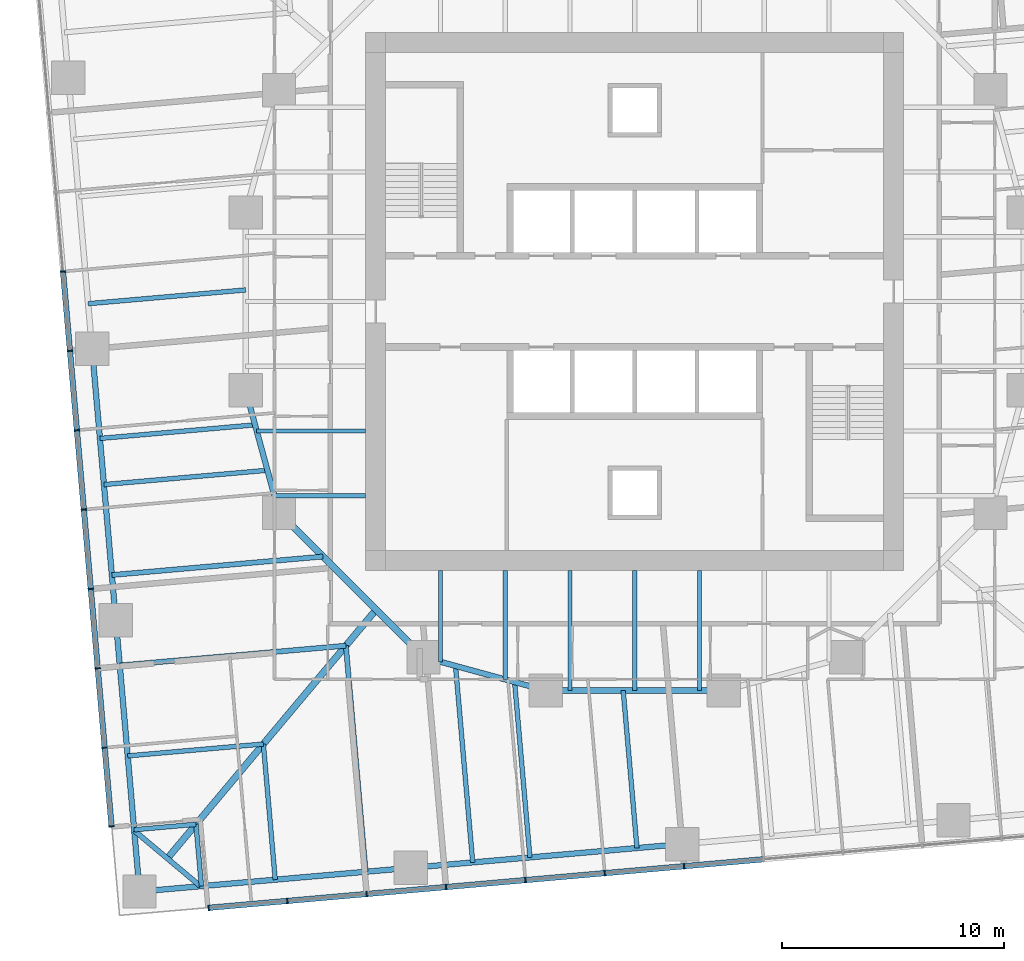
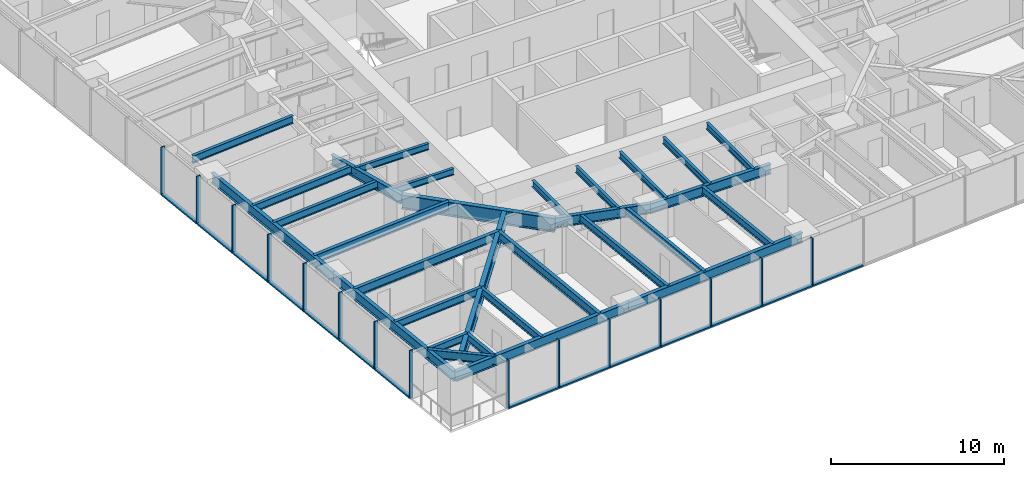
# One storey, part 2 of 14: 30 beams, 29 members, 2 elements without a shape of their own.
"""IFC4 building model written with IfcOpenShell, lengths in metres."""

from ifc_helpers import new_model, si_unit, direction, frame, origin, origin_2d, place, context, subcontext, project, spatial, rectangle, i_section, extrude, material, material_profile, profile_set, type_object, element, aggregate, save


model = new_model("IFC4")

# Units and contexts
model_context = context("Model", 3, precision=1e-05, world=origin(), true_north=direction((0.0, 1.0)))
body_context = subcontext(model_context, "Body", "Model", "MODEL_VIEW")
ifc_project = project(units=[si_unit("LENGTHUNIT", "METRE"), si_unit("AREAUNIT", "SQUARE_METRE"), si_unit("VOLUMEUNIT", "CUBIC_METRE"), si_unit("PLANEANGLEUNIT", "RADIAN"), si_unit("MASSUNIT", "GRAM", prefix="KILO")], contexts=[model_context])

# Site, building, storey
site_placement = place(None, origin())
site = spatial("IfcSite", under=ifc_project, at=site_placement, CompositionType="ELEMENT")
building_placement = place(site_placement, origin())
building = spatial("IfcBuilding", under=site, at=building_placement, Name="Torsade Residences", CompositionType="ELEMENT")
storey_placement = place(building_placement, frame((0.0, 0.0, 57.39990234375)))
storey = spatial("IfcBuildingStorey", under=building, at=storey_placement, Name="L15", CompositionType="ELEMENT", Elevation=57.39990234375)

# Beams
ifc_material_1 = material(Name="Steel grade 300", Category="steel")
ifc_material_profile_1 = material_profile(ifc_material_1, i_section(OverallWidth=0.300048828125, OverallDepth=0.89990234375, WebThickness=0.011962890625, FlangeThickness=0.02490234375, at=origin_2d()), Name="900WB175")
ifc_profile_set_1 = profile_set([ifc_material_profile_1], Name="Steel grade 300")
beam_type_1 = type_object("IfcBeamType", Name="CORNER GIRDER 900WB175", PredefinedType="BEAM", material=ifc_profile_set_1)
beam_1_placement = place(storey_placement, frame((18.978515625, 4.947509765625, 2.800048828125), z_axis=(0.642785419012, 0.766046281307, 0.0), x_axis=(-0.766046281307, 0.642785419012, 0.0)))
element("IfcBeam", 1, at=beam_1_placement, inside=storey, type_object=beam_type_1, Name="Corner girder 01 L16", PredefinedType="BEAM", context=body_context, shape_type="SweptSolid", body=[
    extrude(i_section(OverallWidth=0.300048828125, OverallDepth=0.89990234375, WebThickness=0.011962890625, FlangeThickness=0.02490234375, at=origin_2d()), origin(), (0.0, 0.0, 1.0), 14.603515625),
])
ifc_material_2 = material(Name="Steel grade 300", Category="steel")
ifc_material_profile_2 = material_profile(ifc_material_2, i_section(OverallWidth=0.22802734375, OverallDepth=0.60205078125, WebThickness=0.010498046875, FlangeThickness=0.014892578125, FilletRadius=0.013916015625, at=origin_2d()), Name="610UB101")
ifc_profile_set_2 = profile_set([ifc_material_profile_2], Name="Steel grade 300")
beam_type_2 = type_object("IfcBeamType", Name="CORNER TRIMMER 610UB101", PredefinedType="BEAM", material=ifc_profile_set_2)
beam_2_placement = place(storey_placement, frame((20.468017578125, 3.697509765625, 2.94921875), z_axis=(-0.766030001697, 0.642804819911, 0.0), x_axis=(-0.642804819911, -0.766030001697, 0.0)))
element("IfcBeam", 2, at=beam_2_placement, inside=storey, type_object=beam_type_2, Name="Corner trimmer 01 L16", PredefinedType="BEAM", context=body_context, shape_type="SweptSolid", body=[
    extrude(i_section(OverallWidth=0.22802734375, OverallDepth=0.60205078125, WebThickness=0.010498046875, FlangeThickness=0.014892578125, FilletRadius=0.013916015625, at=origin_2d()), origin(), (0.0, 0.0, 1.0), 3.88916015625),
])

# Curtain wall, members
ifc_material_3 = material(Name="Aluminium and glass", Category="aluminium")
curtain_wall_type = type_object("IfcCurtainWallType", Name="FRITTED GLASS CURTAIN WALL LOW ZONE", PredefinedType="NOTDEFINED", material=ifc_material_3)
curtain_wall_1_placement = place(storey_placement, origin())
curtain_wall_1 = element("IfcCurtainWall", 3, at=curtain_wall_1_placement, inside=storey, type_object=curtain_wall_type, Name="Curtain wall L15 face 1", PredefinedType="NOTDEFINED")
ifc_material_4 = material(Name="Aluminium mullion", Category="aluminium")
ifc_material_profile_3 = material_profile(ifc_material_4, rectangle(XDim=0.25, YDim=0.06494140625, at=origin_2d()), Name="CURTAIN WALL MULLION 250x65")
ifc_profile_set_3 = profile_set([ifc_material_profile_3], Name="Aluminium mullion")
member_type_1 = type_object("IfcMemberType", Name="CURTAIN WALL MULLION 250x65", PredefinedType="MULLION", material=ifc_profile_set_3)
member_1_placement = place(storey_placement, frame((20.836669921875, 2.72607421875, 0.0), z_axis=(0.0, 0.0, 1.0), x_axis=(-0.087155744208, 0.996194697964, 0.0)))
member_1 = element("IfcMember", 4, at=member_1_placement, type_object=member_type_1, Name="Mullion 1", PredefinedType="MULLION", context=body_context, shape_type="SweptSolid", body=[
    extrude(rectangle(XDim=0.25, YDim=0.06494140625, at=origin_2d()), origin(), (0.0, 0.0, 1.0), 3.400146484375),
])
member_2_placement = place(storey_placement, frame((24.3740234375, 3.035400390625, 0.0), z_axis=(0.0, 0.0, 1.0), x_axis=(-0.087155744208, 0.996194697964, 0.0)))
member_2 = element("IfcMember", 5, at=member_2_placement, type_object=member_type_1, Name="Mullion 2", PredefinedType="MULLION", context=body_context, shape_type="SweptSolid", body=[
    extrude(rectangle(XDim=0.25, YDim=0.06494140625, at=origin_2d()), origin(), (0.0, 0.0, 1.0), 3.400146484375),
])
member_3_placement = place(storey_placement, frame((27.943603515625, 3.347900390625, 0.0), z_axis=(0.0, 0.0, 1.0), x_axis=(-0.087155744208, 0.996194697964, 0.0)))
member_3 = element("IfcMember", 6, at=member_3_placement, type_object=member_type_1, Name="Mullion 3", PredefinedType="MULLION", context=body_context, shape_type="SweptSolid", body=[
    extrude(rectangle(XDim=0.25, YDim=0.06494140625, at=origin_2d()), origin(), (0.0, 0.0, 1.0), 3.400146484375),
])
member_4_placement = place(storey_placement, frame((31.513427734375, 3.66015625, 0.0), z_axis=(0.0, 0.0, 1.0), x_axis=(-0.087155744208, 0.996194697964, 0.0)))
member_4 = element("IfcMember", 7, at=member_4_placement, type_object=member_type_1, Name="Mullion 4", PredefinedType="MULLION", context=body_context, shape_type="SweptSolid", body=[
    extrude(rectangle(XDim=0.25, YDim=0.06494140625, at=origin_2d()), origin(), (0.0, 0.0, 1.0), 3.400146484375),
])
member_5_placement = place(storey_placement, frame((35.0830078125, 3.972412109375, 0.0), z_axis=(0.0, 0.0, 1.0), x_axis=(-0.087155744208, 0.996194697964, 0.0)))
member_5 = element("IfcMember", 8, at=member_5_placement, type_object=member_type_1, Name="Mullion 5", PredefinedType="MULLION", context=body_context, shape_type="SweptSolid", body=[
    extrude(rectangle(XDim=0.25, YDim=0.06494140625, at=origin_2d()), origin(), (0.0, 0.0, 1.0), 3.400146484375),
])
member_6_placement = place(storey_placement, frame((38.65283203125, 4.28466796875, 0.0), z_axis=(0.0, 0.0, 1.0), x_axis=(-0.087155744208, 0.996194697964, 0.0)))
member_6 = element("IfcMember", 9, at=member_6_placement, type_object=member_type_1, Name="Mullion 6", PredefinedType="MULLION", context=body_context, shape_type="SweptSolid", body=[
    extrude(rectangle(XDim=0.25, YDim=0.06494140625, at=origin_2d()), origin(), (0.0, 0.0, 1.0), 3.400146484375),
])
member_7_placement = place(storey_placement, frame((42.222412109375, 4.596923828125, 0.0), z_axis=(0.0, 0.0, 1.0), x_axis=(-0.087155744208, 0.996194697964, 0.0)))
member_7 = element("IfcMember", 10, at=member_7_placement, type_object=member_type_1, Name="Mullion 7", PredefinedType="MULLION", context=body_context, shape_type="SweptSolid", body=[
    extrude(rectangle(XDim=0.25, YDim=0.06494140625, at=origin_2d()), origin(), (0.0, 0.0, 1.0), 3.400146484375),
])

curtain_wall_2_placement = place(storey_placement, origin())
curtain_wall_2 = element("IfcCurtainWall", 11, at=curtain_wall_2_placement, inside=storey, type_object=curtain_wall_type, Name="Curtain wall L15 face 10", PredefinedType="NOTDEFINED")
member_8_placement = place(storey_placement, frame((14.28466796875, 31.34716796875, 0.0), z_axis=(0.0, 0.0, 1.0), x_axis=(0.996194697964, 0.087155744208, 0.0)))
member_8 = element("IfcMember", 12, at=member_8_placement, type_object=member_type_1, Name="Mullion 6", PredefinedType="MULLION", context=body_context, shape_type="SweptSolid", body=[
    extrude(rectangle(XDim=0.25, YDim=0.06494140625, at=origin_2d()), origin(), (0.0, 0.0, 1.0), 3.400146484375),
])
member_9_placement = place(storey_placement, frame((14.596923828125, 27.777587890625, 0.0), z_axis=(0.0, 0.0, 1.0), x_axis=(0.996194697964, 0.087155744208, 0.0)))
member_9 = element("IfcMember", 13, at=member_9_placement, type_object=member_type_1, Name="Mullion 7", PredefinedType="MULLION", context=body_context, shape_type="SweptSolid", body=[
    extrude(rectangle(XDim=0.25, YDim=0.06494140625, at=origin_2d()), origin(), (0.0, 0.0, 1.0), 3.400146484375),
])
member_10_placement = place(storey_placement, frame((14.909423828125, 24.207763671875, 0.0), z_axis=(0.0, 0.0, 1.0), x_axis=(0.996194697964, 0.087155744208, 0.0)))
member_10 = element("IfcMember", 14, at=member_10_placement, type_object=member_type_1, Name="Mullion 8", PredefinedType="MULLION", context=body_context, shape_type="SweptSolid", body=[
    extrude(rectangle(XDim=0.25, YDim=0.06494140625, at=origin_2d()), origin(), (0.0, 0.0, 1.0), 3.400146484375),
])
member_11_placement = place(storey_placement, frame((15.2216796875, 20.63818359375, 0.0), z_axis=(0.0, 0.0, 1.0), x_axis=(0.996194697964, 0.087155744208, 0.0)))
member_11 = element("IfcMember", 15, at=member_11_placement, type_object=member_type_1, Name="Mullion 9", PredefinedType="MULLION", context=body_context, shape_type="SweptSolid", body=[
    extrude(rectangle(XDim=0.25, YDim=0.06494140625, at=origin_2d()), origin(), (0.0, 0.0, 1.0), 3.400146484375),
])
member_12_placement = place(storey_placement, frame((15.533935546875, 17.068359375, 0.0), z_axis=(0.0, 0.0, 1.0), x_axis=(0.996194697964, 0.087155744208, 0.0)))
member_12 = element("IfcMember", 16, at=member_12_placement, type_object=member_type_1, Name="Mullion 10", PredefinedType="MULLION", context=body_context, shape_type="SweptSolid", body=[
    extrude(rectangle(XDim=0.25, YDim=0.06494140625, at=origin_2d()), origin(), (0.0, 0.0, 1.0), 3.400146484375),
])
member_13_placement = place(storey_placement, frame((15.84619140625, 13.498779296875, 0.0), z_axis=(0.0, 0.0, 1.0), x_axis=(0.996194697964, 0.087155744208, 0.0)))
member_13 = element("IfcMember", 17, at=member_13_placement, type_object=member_type_1, Name="Mullion 11", PredefinedType="MULLION", context=body_context, shape_type="SweptSolid", body=[
    extrude(rectangle(XDim=0.25, YDim=0.06494140625, at=origin_2d()), origin(), (0.0, 0.0, 1.0), 3.400146484375),
])
member_14_placement = place(storey_placement, frame((16.15869140625, 9.928955078125, 0.0), z_axis=(0.0, 0.0, 1.0), x_axis=(0.996194697964, 0.087155744208, 0.0)))
member_14 = element("IfcMember", 18, at=member_14_placement, type_object=member_type_1, Name="Mullion 12", PredefinedType="MULLION", context=body_context, shape_type="SweptSolid", body=[
    extrude(rectangle(XDim=0.25, YDim=0.06494140625, at=origin_2d()), origin(), (0.0, 0.0, 1.0), 3.400146484375),
])
member_15_placement = place(storey_placement, frame((16.468017578125, 6.3916015625, 0.0), z_axis=(0.0, 0.0, 1.0), x_axis=(0.996194697964, 0.087155744208, 0.0)))
member_15 = element("IfcMember", 19, at=member_15_placement, type_object=member_type_1, Name="Mullion 13", PredefinedType="MULLION", context=body_context, shape_type="SweptSolid", body=[
    extrude(rectangle(XDim=0.25, YDim=0.06494140625, at=origin_2d()), origin(), (0.0, 0.0, 1.0), 3.400146484375),
])

# Member
ifc_material_5 = material(Name="Aluminium transom", Category="aluminium")
ifc_material_profile_4 = material_profile(ifc_material_5, rectangle(XDim=0.25, YDim=0.10009765625, at=origin_2d()), Name="CURTAIN WALL TRANSOM 250x100")
ifc_profile_set_4 = profile_set([ifc_material_profile_4], Name="Aluminium transom")
member_type_2 = type_object("IfcMemberType", Name="CURTAIN WALL TRANSOM 250x100", PredefinedType="USERDEFINED", material=ifc_profile_set_4)
member_16_placement = place(storey_placement, frame((20.869140625, 2.728759765625, 0.050048828125), z_axis=(0.996190751941, 0.0872008357, 0.0), x_axis=(-0.0872008357, 0.996190751941, 0.0)))
member_16 = element("IfcMember", 20, at=member_16_placement, type_object=member_type_2, Name="Transom 1.1", ObjectType="TRANSOM", PredefinedType="USERDEFINED", context=body_context, shape_type="SweptSolid", body=[
    extrude(rectangle(XDim=0.25, YDim=0.10009765625, at=origin_2d()), origin(), (0.0, 0.0, 1.0), 3.485595703125),
])

member_17_placement = place(storey_placement, frame((24.40625, 3.038330078125, 0.050048828125), z_axis=(0.996195148363, 0.08715059597, 0.0), x_axis=(-0.08715059597, 0.996195148363, 0.0)))
member_17 = element("IfcMember", 21, at=member_17_placement, type_object=member_type_2, Name="Transom 2.1", ObjectType="TRANSOM", PredefinedType="USERDEFINED", context=body_context, shape_type="SweptSolid", body=[
    extrude(rectangle(XDim=0.25, YDim=0.10009765625, at=origin_2d()), origin(), (0.0, 0.0, 1.0), 3.5185546875),
])

member_18_placement = place(storey_placement, frame((27.97607421875, 3.3505859375, 0.050048828125), z_axis=(0.996194621295, 0.087156620531, 0.0), x_axis=(-0.087156620531, 0.996194621295, 0.0)))
member_18 = element("IfcMember", 22, at=member_18_placement, type_object=member_type_2, Name="Transom 3.1", ObjectType="TRANSOM", PredefinedType="USERDEFINED", context=body_context, shape_type="SweptSolid", body=[
    extrude(rectangle(XDim=0.25, YDim=0.10009765625, at=origin_2d()), origin(), (0.0, 0.0, 1.0), 3.518310546875),
])

member_19_placement = place(storey_placement, frame((31.545654296875, 3.662841796875, 0.050048828125), z_axis=(0.996195148363, 0.08715059597, 0.0), x_axis=(-0.08715059597, 0.996195148363, 0.0)))
member_19 = element("IfcMember", 23, at=member_19_placement, type_object=member_type_2, Name="Transom 4.1", ObjectType="TRANSOM", PredefinedType="USERDEFINED", context=body_context, shape_type="SweptSolid", body=[
    extrude(rectangle(XDim=0.25, YDim=0.10009765625, at=origin_2d()), origin(), (0.0, 0.0, 1.0), 3.5185546875),
])

member_20_placement = place(storey_placement, frame((35.115478515625, 3.975341796875, 0.050048828125), z_axis=(0.996194621295, 0.087156620531, 0.0), x_axis=(-0.087156620531, 0.996194621295, 0.0)))
member_20 = element("IfcMember", 24, at=member_20_placement, type_object=member_type_2, Name="Transom 5.1", ObjectType="TRANSOM", PredefinedType="USERDEFINED", context=body_context, shape_type="SweptSolid", body=[
    extrude(rectangle(XDim=0.25, YDim=0.10009765625, at=origin_2d()), origin(), (0.0, 0.0, 1.0), 3.518310546875),
])

member_21_placement = place(storey_placement, frame((38.68505859375, 4.28759765625, 0.050048828125), z_axis=(0.996195148363, 0.08715059597, 0.0), x_axis=(-0.08715059597, 0.996195148363, 0.0)))
member_21 = element("IfcMember", 25, at=member_21_placement, type_object=member_type_2, Name="Transom 6.1", ObjectType="TRANSOM", PredefinedType="USERDEFINED", context=body_context, shape_type="SweptSolid", body=[
    extrude(rectangle(XDim=0.25, YDim=0.10009765625, at=origin_2d()), origin(), (0.0, 0.0, 1.0), 3.5185546875),
])

member_22_placement = place(storey_placement, frame((42.2548828125, 4.599853515625, 0.050048828125), z_axis=(0.996194621295, 0.087156620531, 0.0), x_axis=(-0.087156620531, 0.996194621295, 0.0)))
member_22 = element("IfcMember", 26, at=member_22_placement, type_object=member_type_2, Name="Transom 7.1", ObjectType="TRANSOM", PredefinedType="USERDEFINED", context=body_context, shape_type="SweptSolid", body=[
    extrude(rectangle(XDim=0.25, YDim=0.10009765625, at=origin_2d()), origin(), (0.0, 0.0, 1.0), 3.518310546875),
])

aggregate(curtain_wall_1, [member_1, member_2, member_3, member_4, member_5, member_6, member_7, member_16, member_17, member_18, member_19, member_20, member_21, member_22])

member_23_placement = place(storey_placement, frame((14.28759765625, 31.31494140625, 0.050048828125), z_axis=(0.08715059597, -0.996195148363, 0.0), x_axis=(0.996195148363, 0.08715059597, 0.0)))
member_23 = element("IfcMember", 27, at=member_23_placement, type_object=member_type_2, Name="Transom 6.1", ObjectType="TRANSOM", PredefinedType="USERDEFINED", context=body_context, shape_type="SweptSolid", body=[
    extrude(rectangle(XDim=0.25, YDim=0.10009765625, at=origin_2d()), origin(), (0.0, 0.0, 1.0), 3.5185546875),
])

member_24_placement = place(storey_placement, frame((14.599853515625, 27.7451171875, 0.050048828125), z_axis=(0.087156620531, -0.996194621295, 0.0), x_axis=(0.996194621295, 0.087156620531, 0.0)))
member_24 = element("IfcMember", 28, at=member_24_placement, type_object=member_type_2, Name="Transom 7.1", ObjectType="TRANSOM", PredefinedType="USERDEFINED", context=body_context, shape_type="SweptSolid", body=[
    extrude(rectangle(XDim=0.25, YDim=0.10009765625, at=origin_2d()), origin(), (0.0, 0.0, 1.0), 3.518310546875),
])

member_25_placement = place(storey_placement, frame((14.912109375, 24.175537109375, 0.050048828125), z_axis=(0.08715059597, -0.996195148363, 0.0), x_axis=(0.996195148363, 0.08715059597, 0.0)))
member_25 = element("IfcMember", 29, at=member_25_placement, type_object=member_type_2, Name="Transom 8.1", ObjectType="TRANSOM", PredefinedType="USERDEFINED", context=body_context, shape_type="SweptSolid", body=[
    extrude(rectangle(XDim=0.25, YDim=0.10009765625, at=origin_2d()), origin(), (0.0, 0.0, 1.0), 3.5185546875),
])

member_26_placement = place(storey_placement, frame((15.224365234375, 20.605712890625, 0.050048828125), z_axis=(0.087156620531, -0.996194621295, 0.0), x_axis=(0.996194621295, 0.087156620531, 0.0)))
member_26 = element("IfcMember", 30, at=member_26_placement, type_object=member_type_2, Name="Transom 9.1", ObjectType="TRANSOM", PredefinedType="USERDEFINED", context=body_context, shape_type="SweptSolid", body=[
    extrude(rectangle(XDim=0.25, YDim=0.10009765625, at=origin_2d()), origin(), (0.0, 0.0, 1.0), 3.518310546875),
])

member_27_placement = place(storey_placement, frame((15.536865234375, 17.0361328125, 0.050048828125), z_axis=(0.08715059597, -0.996195148363, 0.0), x_axis=(0.996195148363, 0.08715059597, 0.0)))
member_27 = element("IfcMember", 31, at=member_27_placement, type_object=member_type_2, Name="Transom 10.1", ObjectType="TRANSOM", PredefinedType="USERDEFINED", context=body_context, shape_type="SweptSolid", body=[
    extrude(rectangle(XDim=0.25, YDim=0.10009765625, at=origin_2d()), origin(), (0.0, 0.0, 1.0), 3.5185546875),
])

member_28_placement = place(storey_placement, frame((15.84912109375, 13.46630859375, 0.050048828125), z_axis=(0.087156620531, -0.996194621295, 0.0), x_axis=(0.996194621295, 0.087156620531, 0.0)))
member_28 = element("IfcMember", 32, at=member_28_placement, type_object=member_type_2, Name="Transom 11.1", ObjectType="TRANSOM", PredefinedType="USERDEFINED", context=body_context, shape_type="SweptSolid", body=[
    extrude(rectangle(XDim=0.25, YDim=0.10009765625, at=origin_2d()), origin(), (0.0, 0.0, 1.0), 3.518310546875),
])

member_29_placement = place(storey_placement, frame((16.161376953125, 9.896728515625, 0.050048828125), z_axis=(0.08719475177, -0.996191284475, 0.0), x_axis=(0.996191284475, 0.08719475177, 0.0)))
member_29 = element("IfcMember", 33, at=member_29_placement, type_object=member_type_2, Name="Transom 12.1", ObjectType="TRANSOM", PredefinedType="USERDEFINED", context=body_context, shape_type="SweptSolid", body=[
    extrude(rectangle(XDim=0.25, YDim=0.10009765625, at=origin_2d()), origin(), (0.0, 0.0, 1.0), 3.48583984375),
])

aggregate(curtain_wall_2, [member_8, member_9, member_10, member_11, member_12, member_13, member_14, member_15, member_23, member_24, member_25, member_26, member_27, member_28, member_29])

# Beams
ifc_material_6 = material(Name="Steel grade 300", Category="steel")
ifc_material_profile_5 = material_profile(ifc_material_6, i_section(OverallWidth=0.25, OverallDepth=0.699951171875, WebThickness=0.010009765625, FlangeThickness=0.02001953125, at=origin_2d()), Name="700WB130")
ifc_profile_set_5 = profile_set([ifc_material_profile_5], Name="Steel grade 300")
beam_type_3 = type_object("IfcBeamType", Name="EDGE BEAM 700WB130", PredefinedType="SPANDREL", material=ifc_profile_set_5)
for number, where, z_axis, x_axis, name in (
    (34, (17.728515625, 3.4580078125, 2.900146484375), (0.996194907201, 0.08715335259, 0.0), (-0.08715335259, 0.996194907201, 0.0), "Edge beam 01 L16"),
    (35, (29.931884765625, 4.525634765625, 2.900146484375), (0.996194907201, 0.08715335259, 0.0), (-0.08715335259, 0.996194907201, 0.0), "Edge beam 02 L16"),
    (36, (15.59326171875, 27.86474609375, 2.900146484375), (0.08715335259, -0.996194907201, 0.0), (0.996194907201, 0.08715335259, 0.0), "Edge beam 15 L16"),
    (37, (16.660888671875, 15.661376953125, 2.900146484375), (0.08715335259, -0.996194907201, 0.0), (0.996194907201, 0.08715335259, 0.0), "Edge beam 16 L16"),
):
    element("IfcBeam", number, at=place(storey_placement, frame(where, z_axis=z_axis, x_axis=x_axis)), inside=storey, type_object=beam_type_3, Name=name, PredefinedType="SPANDREL", context=body_context, shape_type="SweptSolid", body=[
        extrude(i_section(OverallWidth=0.25, OverallDepth=0.699951171875, WebThickness=0.010009765625, FlangeThickness=0.02001953125, at=origin_2d()), origin(), (0.0, 0.0, 1.0), 12.25),
    ])
ifc_material_7 = material(Name="Steel grade 300", Category="steel")
ifc_material_profile_6 = material_profile(ifc_material_7, i_section(OverallWidth=0.18994140625, OverallDepth=0.4541015625, WebThickness=0.008544921875, FlangeThickness=0.0126953125, FilletRadius=0.011474609375, at=origin_2d()), Name="460UB67.1")
ifc_profile_set_6 = profile_set([ifc_material_profile_6], Name="Steel grade 300")
beam_type_4 = type_object("IfcBeamType", Name="INNER FLOOR BEAM 460UB67.1", PredefinedType="JOIST", material=ifc_profile_set_6)
for number, where, z_axis, x_axis, name in (
    (38, (42.91259765625, 17.89990234375, 3.023193359375), (0.0, -1.0, 0.0), (1.0, 0.0, 0.0), "Inner floor beam IS03 L16"),
    (39, (40.0, 17.89990234375, 3.023193359375), (0.0, -1.0, 0.0), (1.0, 0.0, 0.0), "Inner floor beam IS04 L16"),
    (40, (37.08740234375, 17.89990234375, 3.023193359375), (0.0, -1.0, 0.0), (1.0, 0.0, 0.0), "Inner floor beam IS05 L16"),
):
    element("IfcBeam", number, at=place(storey_placement, frame(where, z_axis=z_axis, x_axis=x_axis)), inside=storey, type_object=beam_type_4, Name=name, PredefinedType="JOIST", context=body_context, shape_type="SweptSolid", body=[
        extrude(i_section(OverallWidth=0.18994140625, OverallDepth=0.4541015625, WebThickness=0.008544921875, FlangeThickness=0.0126953125, FilletRadius=0.011474609375, at=origin_2d()), origin(), (0.0, 0.0, 1.0), 5.39990234375),
    ])
beam_3_placement = place(storey_placement, frame((34.175048828125, 17.89990234375, 3.023193359375), z_axis=(0.0, -1.0, 0.0), x_axis=(1.0, 0.0, 0.0)))
element("IfcBeam", 41, at=beam_3_placement, inside=storey, type_object=beam_type_4, Name="Inner floor beam IS06 L16", PredefinedType="JOIST", context=body_context, shape_type="SweptSolid", body=[
    extrude(i_section(OverallWidth=0.18994140625, OverallDepth=0.4541015625, WebThickness=0.008544921875, FlangeThickness=0.0126953125, FilletRadius=0.011474609375, at=origin_2d()), origin(), (0.0, 0.0, 1.0), 4.902099609375),
])
beam_4_placement = place(storey_placement, frame((31.262451171875, 17.89990234375, 3.023193359375), z_axis=(0.0, -1.0, 0.0), x_axis=(1.0, 0.0, 0.0)))
element("IfcBeam", 42, at=beam_4_placement, inside=storey, type_object=beam_type_4, Name="Inner floor beam IS07 L16", PredefinedType="JOIST", context=body_context, shape_type="SweptSolid", body=[
    extrude(i_section(OverallWidth=0.18994140625, OverallDepth=0.4541015625, WebThickness=0.008544921875, FlangeThickness=0.0126953125, FilletRadius=0.011474609375, at=origin_2d()), origin(), (0.0, 0.0, 1.0), 4.10791015625),
])
beam_5_placement = place(storey_placement, frame((27.89990234375, 24.175048828125, 3.023193359375), z_axis=(-1.0, 0.0, 0.0), x_axis=(0.0, -1.0, 0.0)))
element("IfcBeam", 43, at=beam_5_placement, inside=storey, type_object=beam_type_4, Name="Inner floor beam IW06 L16", PredefinedType="JOIST", context=body_context, shape_type="SweptSolid", body=[
    extrude(i_section(OverallWidth=0.18994140625, OverallDepth=0.4541015625, WebThickness=0.008544921875, FlangeThickness=0.0126953125, FilletRadius=0.011474609375, at=origin_2d()), origin(), (0.0, 0.0, 1.0), 4.902099609375),
])
beam_6_placement = place(storey_placement, frame((27.89990234375, 21.262451171875, 3.023193359375), z_axis=(-1.0, 0.0, 0.0), x_axis=(0.0, -1.0, 0.0)))
element("IfcBeam", 44, at=beam_6_placement, inside=storey, type_object=beam_type_4, Name="Inner floor beam IW07 L16", PredefinedType="JOIST", context=body_context, shape_type="SweptSolid", body=[
    extrude(i_section(OverallWidth=0.18994140625, OverallDepth=0.4541015625, WebThickness=0.008544921875, FlangeThickness=0.0126953125, FilletRadius=0.011474609375, at=origin_2d()), origin(), (0.0, 0.0, 1.0), 4.10791015625),
])
ifc_material_8 = material(Name="Steel grade 300", Category="steel")
ifc_material_profile_7 = material_profile(ifc_material_8, i_section(OverallWidth=0.300048828125, OverallDepth=1.0, WebThickness=0.01611328125, FlangeThickness=0.028076171875, at=origin_2d()), Name="1000WB215")
ifc_profile_set_7 = profile_set([ifc_material_profile_7], Name="Steel grade 300")
beam_type_5 = type_object("IfcBeamType", Name="RING CORNER GIRDER 1000WB215", PredefinedType="BEAM", material=ifc_profile_set_7)
beam_7_placement = place(storey_placement, frame((24.0, 20.5, 2.75), z_axis=(0.707106781187, -0.707106781187, 0.0), x_axis=(0.707106781187, 0.707106781187, 0.0)))
element("IfcBeam", 45, at=beam_7_placement, inside=storey, type_object=beam_type_5, Name="Ring girder IR11 L16", PredefinedType="BEAM", context=body_context, shape_type="SweptSolid", body=[
    extrude(i_section(OverallWidth=0.300048828125, OverallDepth=1.0, WebThickness=0.01611328125, FlangeThickness=0.028076171875, at=origin_2d()), origin(), (0.0, 0.0, 1.0), 9.1923828125),
])
ifc_material_9 = material(Name="Steel grade 300", Category="steel")
ifc_material_profile_8 = material_profile(ifc_material_9, i_section(OverallWidth=0.25, OverallDepth=0.699951171875, WebThickness=0.010009765625, FlangeThickness=0.02001953125, at=origin_2d()), Name="700WB130")
ifc_profile_set_8 = profile_set([ifc_material_profile_8], Name="Steel grade 300")
beam_type_6 = type_object("IfcBeamType", Name="RING GIRDER 700WB130", PredefinedType="BEAM", material=ifc_profile_set_8)
for number, where, z_axis, x_axis, name in (
    (46, (22.5, 26.0, 2.900146484375), (0.263117405792, -0.964763821238, 0.0), (0.964763821238, 0.263117405792, 0.0), "Ring girder IR10 L16"),
    (47, (30.5, 14.0, 2.900146484375), (0.964763821238, -0.263117405792, 0.0), (0.263117405792, 0.964763821238, 0.0), "Ring girder IR12 L16"),
):
    element("IfcBeam", number, at=place(storey_placement, frame(where, z_axis=z_axis, x_axis=x_axis)), inside=storey, type_object=beam_type_6, Name=name, PredefinedType="BEAM", context=body_context, shape_type="SweptSolid", body=[
        extrude(i_section(OverallWidth=0.25, OverallDepth=0.699951171875, WebThickness=0.010009765625, FlangeThickness=0.02001953125, at=origin_2d()), origin(), (0.0, 0.0, 1.0), 5.700927734375),
    ])
beam_8_placement = place(storey_placement, frame((36.0, 12.5, 2.900146484375), z_axis=(1.0, 0.0, 0.0), x_axis=(0.0, 1.0, 0.0)))
element("IfcBeam", 48, at=beam_8_placement, inside=storey, type_object=beam_type_6, Name="Ring girder IR13 L16", PredefinedType="BEAM", context=body_context, shape_type="SweptSolid", body=[
    extrude(i_section(OverallWidth=0.25, OverallDepth=0.699951171875, WebThickness=0.010009765625, FlangeThickness=0.02001953125, at=origin_2d()), origin(), (0.0, 0.0, 1.0), 8.0),
])
ifc_material_10 = material(Name="Steel grade 300", Category="steel")
ifc_material_profile_9 = material_profile(ifc_material_10, i_section(OverallWidth=0.208984375, OverallDepth=0.528076171875, WebThickness=0.009521484375, FlangeThickness=0.01318359375, FilletRadius=0.013916015625, at=origin_2d()), Name="530UB82.0")
ifc_profile_set_9 = profile_set([ifc_material_profile_9], Name="Steel grade 300")
beam_type_7 = type_object("IfcBeamType", Name="SECONDARY BEAM 530UB82.0", PredefinedType="JOIST", material=ifc_profile_set_9)
beam_9_placement = place(storey_placement, frame((20.509521484375, 3.701171875, 2.986083984375), z_axis=(-0.087105111923, 0.996199126418, 0.0), x_axis=(-0.996199126418, -0.087105111923, 0.0)))
element("IfcBeam", 49, at=beam_9_placement, inside=storey, type_object=beam_type_7, Name="Floor beam FS01 L16", PredefinedType="JOIST", context=body_context, shape_type="SweptSolid", body=[
    extrude(i_section(OverallWidth=0.208984375, OverallDepth=0.528076171875, WebThickness=0.009521484375, FlangeThickness=0.01318359375, FilletRadius=0.013916015625, at=origin_2d()), origin(), (0.0, 0.0, 1.0), 2.79150390625),
])
beam_10_placement = place(storey_placement, frame((23.830322265625, 3.99169921875, 2.986083984375), z_axis=(-0.087171400335, 0.996193328106, 0.0), x_axis=(-0.996193328106, -0.087171400335, 0.0)))
element("IfcBeam", 50, at=beam_10_placement, inside=storey, type_object=beam_type_7, Name="Floor beam FS02 L16", PredefinedType="JOIST", context=body_context, shape_type="SweptSolid", body=[
    extrude(i_section(OverallWidth=0.208984375, OverallDepth=0.528076171875, WebThickness=0.009521484375, FlangeThickness=0.01318359375, FilletRadius=0.013916015625, at=origin_2d()), origin(), (0.0, 0.0, 1.0), 6.125244140625),
])
beam_11_placement = place(storey_placement, frame((32.712890625, 4.768798828125, 2.986083984375), z_axis=(-0.08714612802, 0.996195539225, 0.0), x_axis=(-0.996195539225, -0.08714612802, 0.0)))
element("IfcBeam", 51, at=beam_11_placement, inside=storey, type_object=beam_type_7, Name="Floor beam FS04 L16", PredefinedType="JOIST", context=body_context, shape_type="SweptSolid", body=[
    extrude(i_section(OverallWidth=0.208984375, OverallDepth=0.528076171875, WebThickness=0.009521484375, FlangeThickness=0.01318359375, FilletRadius=0.013916015625, at=origin_2d()), origin(), (0.0, 0.0, 1.0), 8.872314453125),
])
beam_12_placement = place(storey_placement, frame((35.286376953125, 4.994140625, 2.986083984375), z_axis=(-0.087157771408, 0.996194520605, 0.0), x_axis=(-0.996194520605, -0.087157771408, 0.0)))
element("IfcBeam", 52, at=beam_12_placement, inside=storey, type_object=beam_type_7, Name="Floor beam FS05 L16", PredefinedType="JOIST", context=body_context, shape_type="SweptSolid", body=[
    extrude(i_section(OverallWidth=0.208984375, OverallDepth=0.528076171875, WebThickness=0.009521484375, FlangeThickness=0.01318359375, FilletRadius=0.013916015625, at=origin_2d()), origin(), (0.0, 0.0, 1.0), 7.918701171875),
])
for number, where, z_axis, x_axis, name in (
    (53, (40.101318359375, 5.415283203125, 2.986083984375), (-0.087127345813, 0.996197182094, 0.0), (-0.996197182094, -0.087127345813, 0.0), "Floor beam FS06 L16"),
    (54, (15.415283203125, 29.898681640625, 2.986083984375), (0.996197182094, 0.087127345813, 0.0), (-0.087127345813, 0.996197182094, 0.0), "Floor beam FW06 L16"),
):
    element("IfcBeam", number, at=place(storey_placement, frame(where, z_axis=z_axis, x_axis=x_axis)), inside=storey, type_object=beam_type_7, Name=name, PredefinedType="JOIST", context=body_context, shape_type="SweptSolid", body=[
        extrude(i_section(OverallWidth=0.208984375, OverallDepth=0.528076171875, WebThickness=0.009521484375, FlangeThickness=0.01318359375, FilletRadius=0.013916015625, at=origin_2d()), origin(), (0.0, 0.0, 1.0), 7.11181640625),
    ])
beam_13_placement = place(storey_placement, frame((15.945556640625, 23.83837890625, 2.986083984375), z_axis=(0.99619296077, 0.087175598142, 0.0), x_axis=(-0.087175598142, 0.99619296077, 0.0)))
element("IfcBeam", 55, at=beam_13_placement, inside=storey, type_object=beam_type_7, Name="Floor beam FW07 L16", PredefinedType="JOIST", context=body_context, shape_type="SweptSolid", body=[
    extrude(i_section(OverallWidth=0.208984375, OverallDepth=0.528076171875, WebThickness=0.009521484375, FlangeThickness=0.01318359375, FilletRadius=0.013916015625, at=origin_2d()), origin(), (0.0, 0.0, 1.0), 7.004150390625),
])
beam_14_placement = place(storey_placement, frame((16.126953125, 21.762939453125, 2.986083984375), z_axis=(0.996194650902, 0.087156282128, 0.0), x_axis=(-0.087156282128, 0.996194650902, 0.0)))
element("IfcBeam", 56, at=beam_14_placement, inside=storey, type_object=beam_type_7, Name="Floor beam FW08 L16", PredefinedType="JOIST", context=body_context, shape_type="SweptSolid", body=[
    extrude(i_section(OverallWidth=0.208984375, OverallDepth=0.528076171875, WebThickness=0.009521484375, FlangeThickness=0.01318359375, FilletRadius=0.013916015625, at=origin_2d()), origin(), (0.0, 0.0, 1.0), 7.381103515625),
])
beam_15_placement = place(storey_placement, frame((17.19482421875, 9.5595703125, 2.986083984375), z_axis=(0.996193025206, 0.087174861801, 0.0), x_axis=(-0.087174861801, 0.996193025206, 0.0)))
element("IfcBeam", 57, at=beam_15_placement, inside=storey, type_object=beam_type_7, Name="Floor beam FW11 L16", PredefinedType="JOIST", context=body_context, shape_type="SweptSolid", body=[
    extrude(i_section(OverallWidth=0.208984375, OverallDepth=0.528076171875, WebThickness=0.009521484375, FlangeThickness=0.01318359375, FilletRadius=0.013916015625, at=origin_2d()), origin(), (0.0, 0.0, 1.0), 6.125),
])
beam_16_placement = place(storey_placement, frame((17.4853515625, 6.239013671875, 2.986083984375), z_axis=(0.996199126418, 0.087105111923, 0.0), x_axis=(-0.087105111923, 0.996199126418, 0.0)))
element("IfcBeam", 58, at=beam_16_placement, inside=storey, type_object=beam_type_7, Name="Floor beam FW12 L16", PredefinedType="JOIST", context=body_context, shape_type="SweptSolid", body=[
    extrude(i_section(OverallWidth=0.208984375, OverallDepth=0.528076171875, WebThickness=0.009521484375, FlangeThickness=0.01318359375, FilletRadius=0.013916015625, at=origin_2d()), origin(), (0.0, 0.0, 1.0), 2.79150390625),
])
ifc_material_11 = material(Name="Steel grade 300", Category="steel")
ifc_material_profile_10 = material_profile(ifc_material_11, i_section(OverallWidth=0.22900390625, OverallDepth=0.612060546875, WebThickness=0.011962890625, FlangeThickness=0.01953125, FilletRadius=0.013916015625, at=origin_2d()), Name="610UB125")
ifc_profile_set_10 = profile_set([ifc_material_profile_10], Name="Steel grade 300")
beam_type_8 = type_object("IfcBeamType", Name="SECONDARY BEAM 610UB125", PredefinedType="JOIST", material=ifc_profile_set_10)
beam_17_placement = place(storey_placement, frame((27.89794921875, 4.34765625, 2.944091796875), z_axis=(-0.087149742944, 0.996195222988, 0.0), x_axis=(-0.996195222988, -0.087149742944, 0.0)))
element("IfcBeam", 59, at=beam_17_placement, inside=storey, type_object=beam_type_8, Name="Floor beam FS03 L16", PredefinedType="JOIST", context=body_context, shape_type="SweptSolid", body=[
    extrude(i_section(OverallWidth=0.22900390625, OverallDepth=0.612060546875, WebThickness=0.011962890625, FlangeThickness=0.01953125, FilletRadius=0.013916015625, at=origin_2d()), origin(), (0.0, 0.0, 1.0), 10.208251953125),
])
beam_18_placement = place(storey_placement, frame((16.48291015625, 17.6953125, 2.944091796875), z_axis=(0.996195358323, 0.087148195942, 0.0), x_axis=(-0.087148195942, 0.996195358323, 0.0)))
element("IfcBeam", 60, at=beam_18_placement, inside=storey, type_object=beam_type_8, Name="Floor beam FW09 L16", PredefinedType="JOIST", context=body_context, shape_type="SweptSolid", body=[
    extrude(i_section(OverallWidth=0.22900390625, OverallDepth=0.612060546875, WebThickness=0.011962890625, FlangeThickness=0.01953125, FilletRadius=0.013916015625, at=origin_2d()), origin(), (0.0, 0.0, 1.0), 9.527587890625),
])
beam_19_placement = place(storey_placement, frame((16.8388671875, 13.62744140625, 2.944091796875), z_axis=(0.996195222988, 0.087149742944, 0.0), x_axis=(-0.087149742944, 0.996195222988, 0.0)))
element("IfcBeam", 61, at=beam_19_placement, inside=storey, type_object=beam_type_8, Name="Floor beam FW10 L16", PredefinedType="JOIST", context=body_context, shape_type="SweptSolid", body=[
    extrude(i_section(OverallWidth=0.22900390625, OverallDepth=0.612060546875, WebThickness=0.011962890625, FlangeThickness=0.01953125, FilletRadius=0.013916015625, at=origin_2d()), origin(), (0.0, 0.0, 1.0), 10.208251953125),
])

save(model, "model.ifc")
